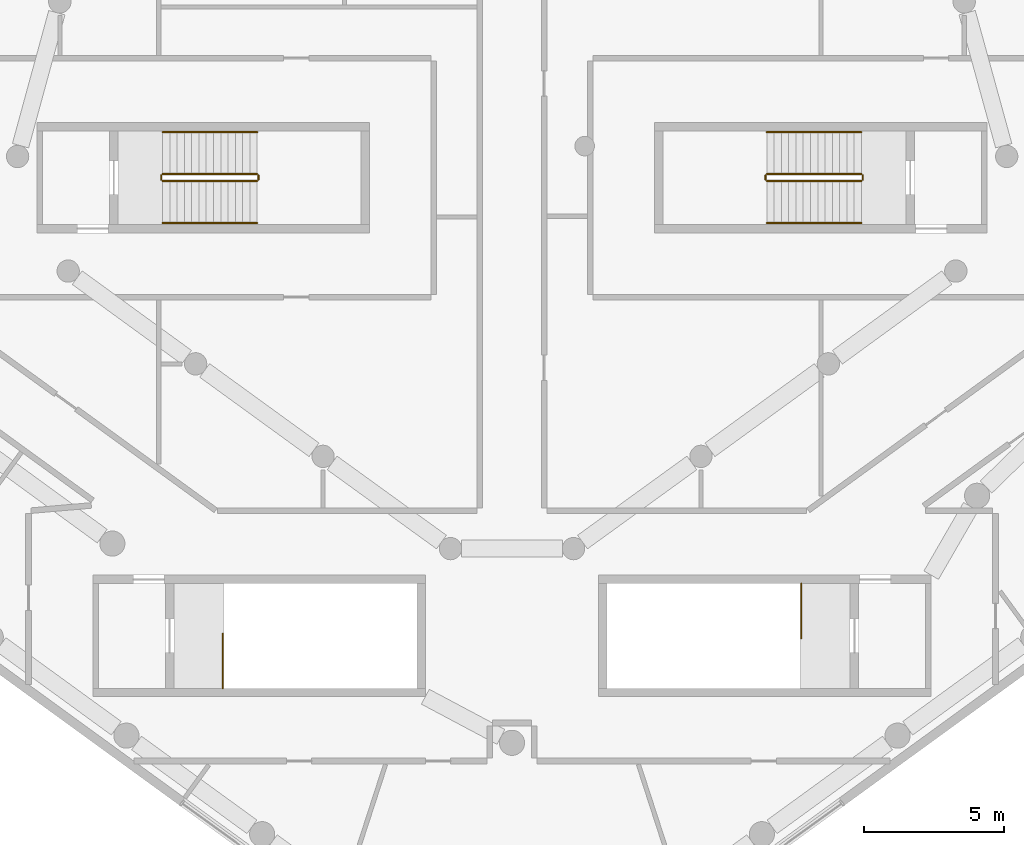
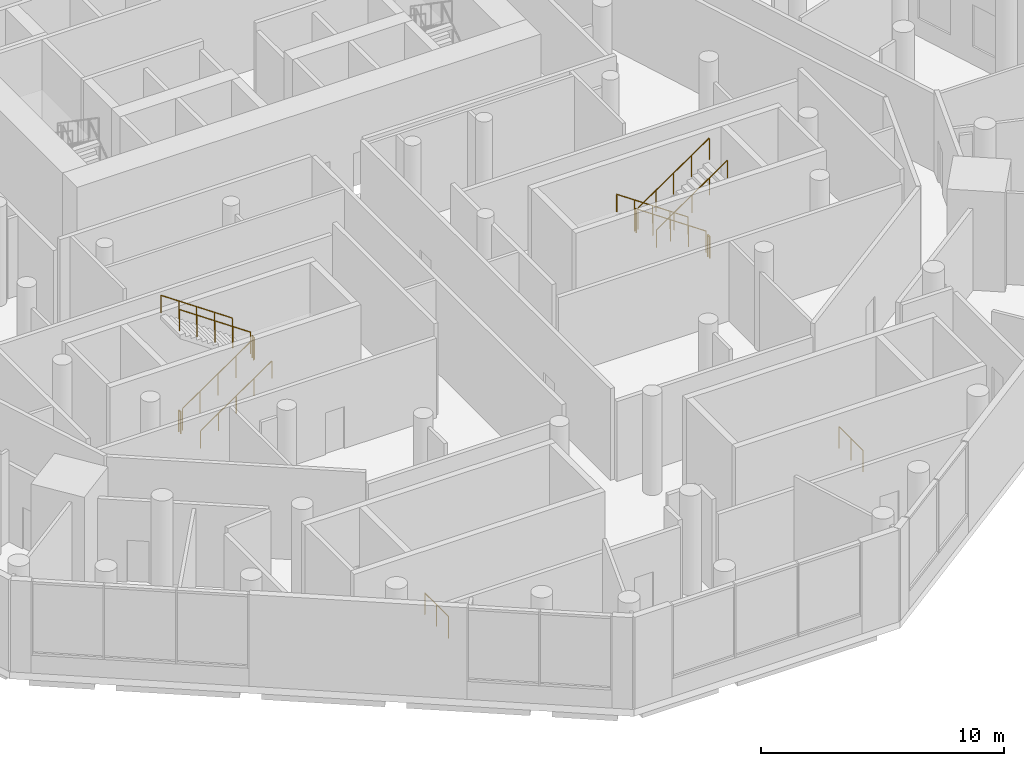
# One storey, part 14 of 15: 14 railings.
"""IFC4 building model written with IfcOpenShell, lengths in metres."""

import ifcopenshell
import ifcopenshell.guid

model = None  # the IFC model being written
_history = None  # IfcOwnerHistory: only IFC2X3 demands one
_inside = {}  # id of a spatial element -> (the spatial element, [elements in it])
_under = {}  # id of a project, library or spatial element -> (it, [spatial elements below it])
_declared = {}  # id of a project -> (the project, [libraries it declares])
_typed = {}  # id of a type object -> (the type object, [elements of that type])
_made_of = {}  # id of a material, layer set ... -> (it, [elements and type objects made of it])


def new_model(schema):
    """Start an empty IFC model of exactly this schema.

    Asked for "IFC4X3", IfcOpenShell would pick the latest addendum, in which some entities
    have other attributes; the version numbers below select the first issue.
    IFC2X3 requires an IfcOwnerHistory on every rooted entity: one is made here for all.
    """
    global model, _history
    if schema == "IFC4X3":
        model = ifcopenshell.file(schema_version=(4, 3, 0, 0))
    else:
        model = ifcopenshell.file(schema=schema)
    _inside.clear()
    _under.clear()
    _declared.clear()
    _typed.clear()
    _made_of.clear()
    _history = None
    if model.schema == "IFC2X3":
        org = make("IfcOrganization", Name="unknown")
        user = make(
            "IfcPersonAndOrganization",
            ThePerson=make("IfcPerson", FamilyName="unknown"),
            TheOrganization=org,
        )
        app = make(
            "IfcApplication",
            ApplicationDeveloper=org,
            Version="unknown",
            ApplicationFullName="unknown",
            ApplicationIdentifier="unknown",
        )
        _history = make(
            "IfcOwnerHistory",
            OwningUser=user,
            OwningApplication=app,
            ChangeAction="ADDED",
            CreationDate=0,
        )
    return model


def make(cls, **values):
    """One entity of the class cls with the attributes given. An attribute that is None is left unset."""
    return model.create_entity(
        cls, **{name: value for name, value in values.items() if value is not None}
    )


def rooted(cls, **values):
    """An entity with a GlobalId (a new one), such as an element, a storey or a relation."""
    return make(cls, GlobalId=ifcopenshell.guid.new(), OwnerHistory=_history, **values)


def si_unit(unit_type, name, prefix=None):
    """IfcSIUnit, for example si_unit("LENGTHUNIT", "METRE", prefix="MILLI")."""
    return make("IfcSIUnit", UnitType=unit_type, Prefix=prefix, Name=name)


def assignment(units):
    """IfcUnitAssignment: the units of a project."""
    return None if units is None else make("IfcUnitAssignment", Units=units)


def point(xyz):
    """IfcCartesianPoint."""
    return None if xyz is None else make("IfcCartesianPoint", Coordinates=xyz)


def direction(xyz):
    """IfcDirection."""
    return None if xyz is None else make("IfcDirection", DirectionRatios=xyz)


def frame(location, z_axis=None, x_axis=None):
    """IfcAxis2Placement3D, a coordinate frame: its origin and axes. An axis left out is left unset."""
    return make(
        "IfcAxis2Placement3D",
        Location=point(location),
        Axis=direction(z_axis),
        RefDirection=direction(x_axis),
    )


def frame_2d(location, x_axis=None):
    """IfcAxis2Placement2D, a coordinate frame in the plane: its origin and x axis."""
    return make(
        "IfcAxis2Placement2D", Location=point(location), RefDirection=direction(x_axis)
    )


def origin():
    """The frame at (0, 0, 0) with its axes left unset."""
    return frame((0.0, 0.0, 0.0))


def origin_2d():
    """The frame at (0, 0) in the plane with its x axis left unset."""
    return frame_2d((0.0, 0.0))


def place(relative_to, where):
    """IfcLocalPlacement: puts the frame where relative to a parent placement (None: the world)."""
    return make(
        "IfcLocalPlacement", PlacementRelTo=relative_to, RelativePlacement=where
    )


def context(
    kind, dimensions, precision=None, world=None, true_north=None, identifier=None
):
    """IfcGeometricRepresentationContext, for example the 3D "Model" context."""
    return make(
        "IfcGeometricRepresentationContext",
        ContextIdentifier=identifier,
        ContextType=kind,
        CoordinateSpaceDimension=dimensions,
        Precision=precision,
        WorldCoordinateSystem=world,
        TrueNorth=true_north,
    )


def subcontext(parent, identifier, kind, view, scale=None):
    """IfcGeometricRepresentationSubContext, for example "Body" below "Model"."""
    return make(
        "IfcGeometricRepresentationSubContext",
        ContextIdentifier=identifier,
        ContextType=kind,
        ParentContext=parent,
        TargetScale=scale,
        TargetView=view,
    )


def project(units=None, contexts=None):
    """IfcProject with its units and contexts."""
    return rooted(
        "IfcProject",
        Name="project",
        RepresentationContexts=contexts,
        UnitsInContext=assignment(units),
    )


def spatial(cls, under=None, at=None, **own):
    """A site, building, storey or space (cls), placed at a placement, below another one or the project."""
    s = rooted(cls, ObjectPlacement=at, **own)
    if under is not None:
        _under.setdefault(under.id(), (under, []))[1].append(s)
    return s


def profile(cls, at=None, kind="AREA", **sizes):
    """A parametric profile (cls). Its sizes go by their IFC names, for example OverallWidth=200.0."""
    return make(cls, ProfileType=kind, Position=at, **sizes)


def circle(**sizes):
    """IfcCircleProfileDef."""
    return profile("IfcCircleProfileDef", **sizes)


def extrude(swept, where, along, depth):
    """IfcExtrudedAreaSolid: the profile swept, set in the frame where, extruded along a direction by depth."""
    return make(
        "IfcExtrudedAreaSolid",
        SweptArea=swept,
        Position=where,
        ExtrudedDirection=direction(along),
        Depth=depth,
    )


def shape(context_of_items, identifier, shape_type, items):
    """IfcShapeRepresentation: the items that make up one representation, for example the "Body"."""
    return make(
        "IfcShapeRepresentation",
        ContextOfItems=context_of_items,
        RepresentationIdentifier=identifier,
        RepresentationType=shape_type,
        Items=items,
    )


def material(Name=None, Category=None):
    """IfcMaterial."""
    return make("IfcMaterial", Name=Name, Category=Category)


def made_of(thing, what):
    """Note that an element or type object is made of a material, layer set ...; save() writes the relation."""
    if what is not None:
        _made_of.setdefault(what.id(), (what, []))[1].append(thing)
    return thing


def type_object(cls, material=None, **own):
    """A type object (cls), such as IfcWallType, which elements share."""
    return made_of(rooted(cls, **own), material)


def element(
    cls,
    number,
    at=None,
    inside=None,
    cuts=None,
    type_object=None,
    material=None,
    context=None,
    identifier="Body",
    shape_type=None,
    held_by="IfcProductDefinitionShape",
    body=None,
    shapes=None,
    **own,
):
    """One element of the class cls, such as IfcWall. Its Tag is "e" and its number.

    at: its placement. inside: the storey or other place that contains it. cuts: it is an
    opening in that element (IfcRelVoidsElement). A single representation is given by context,
    identifier, shape_type and body (its items); several are given by shapes. held_by: the class
    of the entity that holds the representations. save() writes the other relations.
    """
    e = rooted(cls, Tag="e%d" % number, ObjectPlacement=at, **own)
    if body is not None:
        shapes = [shape(context, identifier, shape_type, body)]
    if shapes is not None:
        e.Representation = make(held_by, Representations=shapes)
    if inside is not None:
        _inside.setdefault(inside.id(), (inside, []))[1].append(e)
    if cuts is not None:
        rooted(
            "IfcRelVoidsElement", RelatingBuildingElement=cuts, RelatedOpeningElement=e
        )
    if type_object is not None:
        _typed.setdefault(type_object.id(), (type_object, []))[1].append(e)
    return made_of(e, material)


def aggregate(whole, parts):
    """IfcRelAggregates: a whole, such as a stair, and the parts it consists of."""
    return rooted("IfcRelAggregates", RelatingObject=whole, RelatedObjects=parts)


def save(model, path):
    """Write the relations noted so far, then the file.

    IfcRelAggregates (storeys below a building ...), IfcRelContainedInSpatialStructure (elements
    in a storey), IfcRelDefinesByType, IfcRelAssociatesMaterial and IfcRelDeclares: one each for
    every whole, place, type object, material and project.
    """
    for whole, parts in _under.values():
        aggregate(whole, parts)
    for where, things in _inside.values():
        rooted(
            "IfcRelContainedInSpatialStructure",
            RelatedElements=things,
            RelatingStructure=where,
        )
    for kind, things in _typed.values():
        rooted("IfcRelDefinesByType", RelatedObjects=things, RelatingType=kind)
    for what, things in _made_of.values():
        rooted("IfcRelAssociatesMaterial", RelatedObjects=things, RelatingMaterial=what)
    for by, libraries in _declared.values():
        rooted("IfcRelDeclares", RelatingContext=by, RelatedDefinitions=libraries)
    model.write(path)


model = new_model("IFC4")

# Units and contexts
model_context = context("Model", 3, precision=1e-05, world=origin(), true_north=direction((0.0, 1.0)))
body_context = subcontext(model_context, "Body", "Model", "MODEL_VIEW")
ifc_project = project(units=[si_unit("LENGTHUNIT", "METRE"), si_unit("AREAUNIT", "SQUARE_METRE"), si_unit("VOLUMEUNIT", "CUBIC_METRE"), si_unit("PLANEANGLEUNIT", "RADIAN"), si_unit("MASSUNIT", "GRAM", prefix="KILO")], contexts=[model_context])

# Site, building, storey
site_placement = place(None, origin())
site = spatial("IfcSite", under=ifc_project, at=site_placement, CompositionType="ELEMENT")
building_placement = place(site_placement, origin())
building = spatial("IfcBuilding", under=site, at=building_placement, Name="White Candle Pilgrim Tower", CompositionType="ELEMENT")
storey_placement = place(building_placement, frame((0.0, 0.0, 34.0)))
storey = spatial("IfcBuildingStorey", under=building, at=storey_placement, Name="L05", CompositionType="ELEMENT", Elevation=34.0)

# Railings
ifc_material = material(Name="Stainless steel", Category="steel")
railing_type_1 = type_object("IfcRailingType", Name="Stair guard stainless steel 1100 mm", PredefinedType="GUARDRAIL", material=ifc_material)
railing_1_placement = place(storey_placement, frame((82.5, 60.0, 0.178466796875)))
element("IfcRailing", 1, at=railing_1_placement, inside=storey, type_object=railing_type_1, Name="L05 ST4 stair guard 1", PredefinedType="GUARDRAIL", context=body_context, shape_type="SweptSolid", body=[
    extrude(circle(Radius=0.02392578125, at=origin_2d()), frame((0.0, 0.0, 1.076171875), z_axis=(-0.824285065979, 0.0, 0.566174999451), x_axis=(0.0, -1.0, 0.0)), (0.0, 0.0, 1.0), 4.100341796875),
    extrude(circle(Radius=0.02099609375, at=origin_2d()), origin(), (0.0, 0.0, 1.0), 1.052001953125),
    extrude(circle(Radius=0.02099609375, at=origin_2d()), frame((-0.844970703125, 0.0, 0.580322265625)), (0.0, 0.0, 1.0), 1.052001953125),
    extrude(circle(Radius=0.02099609375, at=origin_2d()), frame((-1.68994140625, 0.0, 1.16064453125)), (0.0, 0.0, 1.0), 1.052001953125),
    extrude(circle(Radius=0.02099609375, at=origin_2d()), frame((-2.534912109375, 0.0, 1.7412109375)), (0.0, 0.0, 1.0), 1.052001953125),
    extrude(circle(Radius=0.02099609375, at=origin_2d()), frame((-3.3798828125, 0.0, 2.321533203125)), (0.0, 0.0, 1.0), 1.052001953125),
])
railing_2_placement = place(storey_placement, frame((79.070068359375, 59.949951171875, 2.5)))
element("IfcRailing", 2, at=railing_2_placement, inside=storey, type_object=railing_type_1, Name="L05 ST4 stair guard 2", PredefinedType="GUARDRAIL", context=body_context, shape_type="SweptSolid", body=[
    extrude(circle(Radius=0.02392578125, at=origin_2d()), frame((0.0, 0.0, 1.076171875), z_axis=(0.0, -1.0, 0.0), x_axis=(1.0, 0.0, 0.0)), (0.0, 0.0, 1.0), 0.14990234375),
    extrude(circle(Radius=0.02099609375, at=origin_2d()), origin(), (0.0, 0.0, 1.0), 1.052001953125),
    extrude(circle(Radius=0.02099609375, at=origin_2d()), frame((0.0, -0.14990234375, 0.0)), (0.0, 0.0, 1.0), 1.052001953125),
])
railing_3_placement = place(storey_placement, frame((79.1201171875, 59.75, 2.678466796875)))
element("IfcRailing", 3, at=railing_3_placement, inside=storey, type_object=railing_type_1, Name="L05 ST4 stair guard 3", PredefinedType="GUARDRAIL", context=body_context, shape_type="SweptSolid", body=[
    extrude(circle(Radius=0.02392578125, at=origin_2d()), frame((0.0, 0.0, 1.076171875), z_axis=(0.824285065979, 0.0, 0.566174999451), x_axis=(0.0, 1.0, 0.0)), (0.0, 0.0, 1.0), 4.100341796875),
    extrude(circle(Radius=0.02099609375, at=origin_2d()), origin(), (0.0, 0.0, 1.0), 1.052001953125),
    extrude(circle(Radius=0.02099609375, at=origin_2d()), frame((0.844970703125, 0.0, 0.580322265625)), (0.0, 0.0, 1.0), 1.052001953125),
    extrude(circle(Radius=0.02099609375, at=origin_2d()), frame((1.68994140625, 0.0, 1.16064453125)), (0.0, 0.0, 1.0), 1.052001953125),
    extrude(circle(Radius=0.02099609375, at=origin_2d()), frame((2.534912109375, 0.0, 1.7412109375)), (0.0, 0.0, 1.0), 1.052001953125),
    extrude(circle(Radius=0.02099609375, at=origin_2d()), frame((3.3798828125, 0.0, 2.321533203125)), (0.0, 0.0, 1.0), 1.052001953125),
])
railing_4_placement = place(storey_placement, frame((82.550048828125, 59.949951171875, 0.0)))
element("IfcRailing", 4, at=railing_4_placement, inside=storey, type_object=railing_type_1, Name="L05 ST4 stair guard 4", PredefinedType="GUARDRAIL", context=body_context, shape_type="SweptSolid", body=[
    extrude(circle(Radius=0.02392578125, at=origin_2d()), frame((0.0, 0.0, 1.076171875), z_axis=(0.0, -1.0, 0.0), x_axis=(1.0, 0.0, 0.0)), (0.0, 0.0, 1.0), 0.14990234375),
    extrude(circle(Radius=0.02099609375, at=origin_2d()), origin(), (0.0, 0.0, 1.0), 1.052001953125),
    extrude(circle(Radius=0.02099609375, at=origin_2d()), frame((0.0, -0.14990234375, 0.0)), (0.0, 0.0, 1.0), 1.052001953125),
])
railing_5_placement = place(storey_placement, frame((57.5, 59.75, 0.178466796875)))
element("IfcRailing", 5, at=railing_5_placement, inside=storey, type_object=railing_type_1, Name="L05 ST5 stair guard 1", PredefinedType="GUARDRAIL", context=body_context, shape_type="SweptSolid", body=[
    extrude(circle(Radius=0.02392578125, at=origin_2d()), frame((0.0, 0.0, 1.076171875), z_axis=(0.824285065979, 0.0, 0.566174999451), x_axis=(0.0, 1.0, 0.0)), (0.0, 0.0, 1.0), 4.100341796875),
    extrude(circle(Radius=0.02099609375, at=origin_2d()), origin(), (0.0, 0.0, 1.0), 1.052001953125),
    extrude(circle(Radius=0.02099609375, at=origin_2d()), frame((0.844970703125, 0.0, 0.580322265625)), (0.0, 0.0, 1.0), 1.052001953125),
    extrude(circle(Radius=0.02099609375, at=origin_2d()), frame((1.68994140625, 0.0, 1.16064453125)), (0.0, 0.0, 1.0), 1.052001953125),
    extrude(circle(Radius=0.02099609375, at=origin_2d()), frame((2.534912109375, 0.0, 1.7412109375)), (0.0, 0.0, 1.0), 1.052001953125),
    extrude(circle(Radius=0.02099609375, at=origin_2d()), frame((3.3798828125, 0.0, 2.321533203125)), (0.0, 0.0, 1.0), 1.052001953125),
])
railing_6_placement = place(storey_placement, frame((60.929931640625, 59.800048828125, 2.5)))
element("IfcRailing", 6, at=railing_6_placement, inside=storey, type_object=railing_type_1, Name="L05 ST5 stair guard 2", PredefinedType="GUARDRAIL", context=body_context, shape_type="SweptSolid", body=[
    extrude(circle(Radius=0.02392578125, at=origin_2d()), frame((0.0, 0.0, 1.076171875), z_axis=(0.0, 1.0, 0.0), x_axis=(-1.0, 0.0, 0.0)), (0.0, 0.0, 1.0), 0.14990234375),
    extrude(circle(Radius=0.02099609375, at=origin_2d()), origin(), (0.0, 0.0, 1.0), 1.052001953125),
    extrude(circle(Radius=0.02099609375, at=origin_2d()), frame((0.0, 0.14990234375, 0.0)), (0.0, 0.0, 1.0), 1.052001953125),
])
railing_7_placement = place(storey_placement, frame((60.8798828125, 60.0, 2.678466796875)))
element("IfcRailing", 7, at=railing_7_placement, inside=storey, type_object=railing_type_1, Name="L05 ST5 stair guard 3", PredefinedType="GUARDRAIL", context=body_context, shape_type="SweptSolid", body=[
    extrude(circle(Radius=0.02392578125, at=origin_2d()), frame((0.0, 0.0, 1.076171875), z_axis=(-0.824285065979, 0.0, 0.566174999451), x_axis=(0.0, -1.0, 0.0)), (0.0, 0.0, 1.0), 4.100341796875),
    extrude(circle(Radius=0.02099609375, at=origin_2d()), origin(), (0.0, 0.0, 1.0), 1.052001953125),
    extrude(circle(Radius=0.02099609375, at=origin_2d()), frame((-0.844970703125, 0.0, 0.580322265625)), (0.0, 0.0, 1.0), 1.052001953125),
    extrude(circle(Radius=0.02099609375, at=origin_2d()), frame((-1.68994140625, 0.0, 1.16064453125)), (0.0, 0.0, 1.0), 1.052001953125),
    extrude(circle(Radius=0.02099609375, at=origin_2d()), frame((-2.534912109375, 0.0, 1.7412109375)), (0.0, 0.0, 1.0), 1.052001953125),
    extrude(circle(Radius=0.02099609375, at=origin_2d()), frame((-3.3798828125, 0.0, 2.321533203125)), (0.0, 0.0, 1.0), 1.052001953125),
])
railing_8_placement = place(storey_placement, frame((57.449951171875, 59.800048828125, 0.0)))
element("IfcRailing", 8, at=railing_8_placement, inside=storey, type_object=railing_type_1, Name="L05 ST5 stair guard 4", PredefinedType="GUARDRAIL", context=body_context, shape_type="SweptSolid", body=[
    extrude(circle(Radius=0.02392578125, at=origin_2d()), frame((0.0, 0.0, 1.076171875), z_axis=(0.0, 1.0, 0.0), x_axis=(-1.0, 0.0, 0.0)), (0.0, 0.0, 1.0), 0.14990234375),
    extrude(circle(Radius=0.02099609375, at=origin_2d()), origin(), (0.0, 0.0, 1.0), 1.052001953125),
    extrude(circle(Radius=0.02099609375, at=origin_2d()), frame((0.0, 0.14990234375, 0.0)), (0.0, 0.0, 1.0), 1.052001953125),
])
railing_9_placement = place(storey_placement, frame((59.64990234375, 41.60009765625, 0.0)))
element("IfcRailing", 9, at=railing_9_placement, inside=storey, type_object=railing_type_1, Name="L05 ST6 top well guard 1", PredefinedType="GUARDRAIL", context=body_context, shape_type="SweptSolid", body=[
    extrude(circle(Radius=0.02392578125, at=origin_2d()), frame((0.0, 0.0, 1.076171875), z_axis=(0.0, 1.0, 0.0), x_axis=(-1.0, 0.0, 0.0)), (0.0, 0.0, 1.0), 1.949951171875),
    extrude(circle(Radius=0.02099609375, at=origin_2d()), origin(), (0.0, 0.0, 1.0), 1.052001953125),
    extrude(circle(Radius=0.02099609375, at=origin_2d()), frame((0.0, 0.97509765625, 0.0)), (0.0, 0.0, 1.0), 1.052001953125),
    extrude(circle(Radius=0.02099609375, at=origin_2d()), frame((0.0, 1.949951171875, 0.0)), (0.0, 0.0, 1.0), 1.052001953125),
])
railing_10_placement = place(storey_placement, frame((80.35009765625, 45.35009765625, 0.0)))
element("IfcRailing", 10, at=railing_10_placement, inside=storey, type_object=railing_type_1, Name="L05 ST7 top well guard 1", PredefinedType="GUARDRAIL", context=body_context, shape_type="SweptSolid", body=[
    extrude(circle(Radius=0.02392578125, at=origin_2d()), frame((0.0, 0.0, 1.076171875), z_axis=(0.0, -1.0, 0.0), x_axis=(1.0, 0.0, 0.0)), (0.0, 0.0, 1.0), 1.9501953125),
    extrude(circle(Radius=0.02099609375, at=origin_2d()), origin(), (0.0, 0.0, 1.0), 1.052001953125),
    extrude(circle(Radius=0.02099609375, at=origin_2d()), frame((0.0, -0.97509765625, 0.0)), (0.0, 0.0, 1.0), 1.052001953125),
    extrude(circle(Radius=0.02099609375, at=origin_2d()), frame((0.0, -1.9501953125, 0.0)), (0.0, 0.0, 1.0), 1.052001953125),
])
railing_type_2 = type_object("IfcRailingType", Name="Stair handrail stainless steel", PredefinedType="HANDRAIL", material=ifc_material)
railing_11_placement = place(storey_placement, frame((82.5, 61.5, 0.178466796875)))
element("IfcRailing", 11, at=railing_11_placement, inside=storey, type_object=railing_type_2, Name="L05 ST4 stair handrail 1", PredefinedType="HANDRAIL", context=body_context, shape_type="SweptSolid", body=[
    extrude(circle(Radius=0.02392578125, at=origin_2d()), frame((0.0, 0.0, 0.8759765625), z_axis=(-0.824285065979, 0.0, 0.566174999451), x_axis=(0.0, -1.0, 0.0)), (0.0, 0.0, 1.0), 4.100341796875),
    extrude(circle(Radius=0.02099609375, at=origin_2d()), origin(), (0.0, 0.0, 1.0), 0.851806640625),
    extrude(circle(Radius=0.02099609375, at=origin_2d()), frame((-0.844970703125, 0.0, 0.580322265625)), (0.0, 0.0, 1.0), 0.851806640625),
    extrude(circle(Radius=0.02099609375, at=origin_2d()), frame((-1.68994140625, 0.0, 1.16064453125)), (0.0, 0.0, 1.0), 0.851806640625),
    extrude(circle(Radius=0.02099609375, at=origin_2d()), frame((-2.534912109375, 0.0, 1.7412109375)), (0.0, 0.0, 1.0), 0.851806640625),
    extrude(circle(Radius=0.02099609375, at=origin_2d()), frame((-3.3798828125, 0.0, 2.321533203125)), (0.0, 0.0, 1.0), 0.851806640625),
])
for number, where, name in (
    (12, (79.1201171875, 58.25, 2.678466796875), "L05 ST4 stair handrail 2"),
    (13, (57.5, 58.25, 0.178466796875), "L05 ST5 stair handrail 1"),
):
    element("IfcRailing", number, at=place(storey_placement, frame(where)), inside=storey, type_object=railing_type_2, Name=name, PredefinedType="HANDRAIL", context=body_context, shape_type="SweptSolid", body=[
        extrude(circle(Radius=0.02392578125, at=origin_2d()), frame((0.0, 0.0, 0.8759765625), z_axis=(0.824285065979, 0.0, 0.566174999451), x_axis=(0.0, 1.0, 0.0)), (0.0, 0.0, 1.0), 4.100341796875),
        extrude(circle(Radius=0.02099609375, at=origin_2d()), origin(), (0.0, 0.0, 1.0), 0.851806640625),
        extrude(circle(Radius=0.02099609375, at=origin_2d()), frame((0.844970703125, 0.0, 0.580322265625)), (0.0, 0.0, 1.0), 0.851806640625),
        extrude(circle(Radius=0.02099609375, at=origin_2d()), frame((1.68994140625, 0.0, 1.16064453125)), (0.0, 0.0, 1.0), 0.851806640625),
        extrude(circle(Radius=0.02099609375, at=origin_2d()), frame((2.534912109375, 0.0, 1.7412109375)), (0.0, 0.0, 1.0), 0.851806640625),
        extrude(circle(Radius=0.02099609375, at=origin_2d()), frame((3.3798828125, 0.0, 2.321533203125)), (0.0, 0.0, 1.0), 0.851806640625),
    ])
railing_12_placement = place(storey_placement, frame((60.8798828125, 61.5, 2.678466796875)))
element("IfcRailing", 14, at=railing_12_placement, inside=storey, type_object=railing_type_2, Name="L05 ST5 stair handrail 2", PredefinedType="HANDRAIL", context=body_context, shape_type="SweptSolid", body=[
    extrude(circle(Radius=0.02392578125, at=origin_2d()), frame((0.0, 0.0, 0.8759765625), z_axis=(-0.824285065979, 0.0, 0.566174999451), x_axis=(0.0, -1.0, 0.0)), (0.0, 0.0, 1.0), 4.100341796875),
    extrude(circle(Radius=0.02099609375, at=origin_2d()), origin(), (0.0, 0.0, 1.0), 0.851806640625),
    extrude(circle(Radius=0.02099609375, at=origin_2d()), frame((-0.844970703125, 0.0, 0.580322265625)), (0.0, 0.0, 1.0), 0.851806640625),
    extrude(circle(Radius=0.02099609375, at=origin_2d()), frame((-1.68994140625, 0.0, 1.16064453125)), (0.0, 0.0, 1.0), 0.851806640625),
    extrude(circle(Radius=0.02099609375, at=origin_2d()), frame((-2.534912109375, 0.0, 1.7412109375)), (0.0, 0.0, 1.0), 0.851806640625),
    extrude(circle(Radius=0.02099609375, at=origin_2d()), frame((-3.3798828125, 0.0, 2.321533203125)), (0.0, 0.0, 1.0), 0.851806640625),
])

save(model, "model.ifc")
